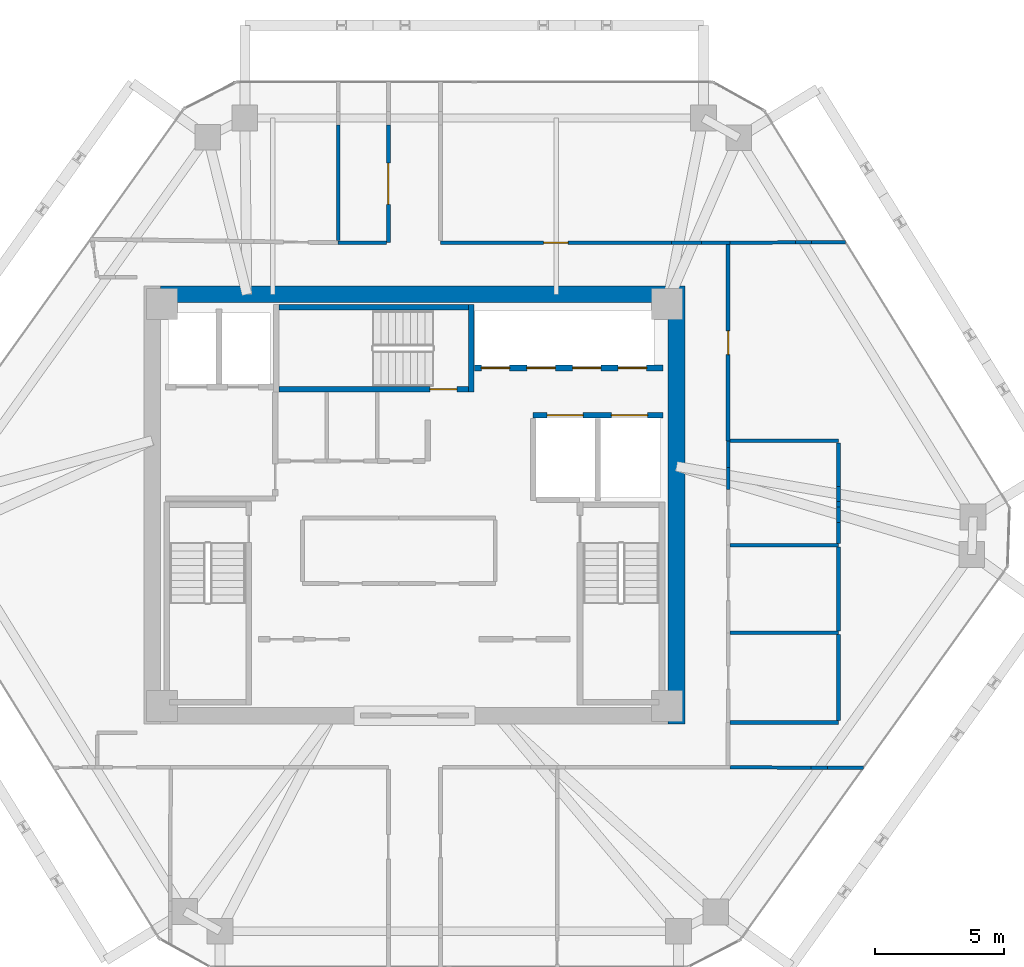
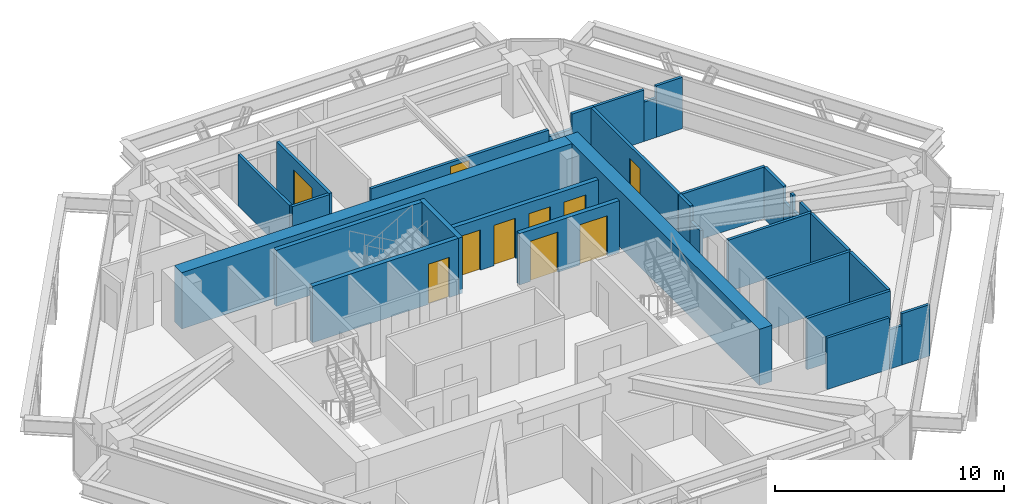
# One storey, part 10 of 12: 33 walls, 10 doors, 10 openings.
"""IFC4 building model written with IfcOpenShell, lengths in metres."""

import ifcopenshell
import ifcopenshell.guid

model = None  # the IFC model being written
_history = None  # IfcOwnerHistory: only IFC2X3 demands one
_inside = {}  # id of a spatial element -> (the spatial element, [elements in it])
_under = {}  # id of a project, library or spatial element -> (it, [spatial elements below it])
_declared = {}  # id of a project -> (the project, [libraries it declares])
_typed = {}  # id of a type object -> (the type object, [elements of that type])
_made_of = {}  # id of a material, layer set ... -> (it, [elements and type objects made of it])


def new_model(schema):
    """Start an empty IFC model of exactly this schema.

    Asked for "IFC4X3", IfcOpenShell would pick the latest addendum, in which some entities
    have other attributes; the version numbers below select the first issue.
    IFC2X3 requires an IfcOwnerHistory on every rooted entity: one is made here for all.
    """
    global model, _history
    if schema == "IFC4X3":
        model = ifcopenshell.file(schema_version=(4, 3, 0, 0))
    else:
        model = ifcopenshell.file(schema=schema)
    _inside.clear()
    _under.clear()
    _declared.clear()
    _typed.clear()
    _made_of.clear()
    _history = None
    if model.schema == "IFC2X3":
        org = make("IfcOrganization", Name="unknown")
        user = make(
            "IfcPersonAndOrganization",
            ThePerson=make("IfcPerson", FamilyName="unknown"),
            TheOrganization=org,
        )
        app = make(
            "IfcApplication",
            ApplicationDeveloper=org,
            Version="unknown",
            ApplicationFullName="unknown",
            ApplicationIdentifier="unknown",
        )
        _history = make(
            "IfcOwnerHistory",
            OwningUser=user,
            OwningApplication=app,
            ChangeAction="ADDED",
            CreationDate=0,
        )
    return model


def make(cls, **values):
    """One entity of the class cls with the attributes given. An attribute that is None is left unset."""
    return model.create_entity(
        cls, **{name: value for name, value in values.items() if value is not None}
    )


def rooted(cls, **values):
    """An entity with a GlobalId (a new one), such as an element, a storey or a relation."""
    return make(cls, GlobalId=ifcopenshell.guid.new(), OwnerHistory=_history, **values)


def si_unit(unit_type, name, prefix=None):
    """IfcSIUnit, for example si_unit("LENGTHUNIT", "METRE", prefix="MILLI")."""
    return make("IfcSIUnit", UnitType=unit_type, Prefix=prefix, Name=name)


def assignment(units):
    """IfcUnitAssignment: the units of a project."""
    return None if units is None else make("IfcUnitAssignment", Units=units)


def point(xyz):
    """IfcCartesianPoint."""
    return None if xyz is None else make("IfcCartesianPoint", Coordinates=xyz)


def direction(xyz):
    """IfcDirection."""
    return None if xyz is None else make("IfcDirection", DirectionRatios=xyz)


def frame(location, z_axis=None, x_axis=None):
    """IfcAxis2Placement3D, a coordinate frame: its origin and axes. An axis left out is left unset."""
    return make(
        "IfcAxis2Placement3D",
        Location=point(location),
        Axis=direction(z_axis),
        RefDirection=direction(x_axis),
    )


def frame_2d(location, x_axis=None):
    """IfcAxis2Placement2D, a coordinate frame in the plane: its origin and x axis."""
    return make(
        "IfcAxis2Placement2D", Location=point(location), RefDirection=direction(x_axis)
    )


def origin():
    """The frame at (0, 0, 0) with its axes left unset."""
    return frame((0.0, 0.0, 0.0))


def place(relative_to, where):
    """IfcLocalPlacement: puts the frame where relative to a parent placement (None: the world)."""
    return make(
        "IfcLocalPlacement", PlacementRelTo=relative_to, RelativePlacement=where
    )


def context(
    kind, dimensions, precision=None, world=None, true_north=None, identifier=None
):
    """IfcGeometricRepresentationContext, for example the 3D "Model" context."""
    return make(
        "IfcGeometricRepresentationContext",
        ContextIdentifier=identifier,
        ContextType=kind,
        CoordinateSpaceDimension=dimensions,
        Precision=precision,
        WorldCoordinateSystem=world,
        TrueNorth=true_north,
    )


def subcontext(parent, identifier, kind, view, scale=None):
    """IfcGeometricRepresentationSubContext, for example "Body" below "Model"."""
    return make(
        "IfcGeometricRepresentationSubContext",
        ContextIdentifier=identifier,
        ContextType=kind,
        ParentContext=parent,
        TargetScale=scale,
        TargetView=view,
    )


def project(units=None, contexts=None):
    """IfcProject with its units and contexts."""
    return rooted(
        "IfcProject",
        Name="project",
        RepresentationContexts=contexts,
        UnitsInContext=assignment(units),
    )


def spatial(cls, under=None, at=None, **own):
    """A site, building, storey or space (cls), placed at a placement, below another one or the project."""
    s = rooted(cls, ObjectPlacement=at, **own)
    if under is not None:
        _under.setdefault(under.id(), (under, []))[1].append(s)
    return s


def profile(cls, at=None, kind="AREA", **sizes):
    """A parametric profile (cls). Its sizes go by their IFC names, for example OverallWidth=200.0."""
    return make(cls, ProfileType=kind, Position=at, **sizes)


def rectangle(**sizes):
    """IfcRectangleProfileDef."""
    return profile("IfcRectangleProfileDef", **sizes)


def extrude(swept, where, along, depth):
    """IfcExtrudedAreaSolid: the profile swept, set in the frame where, extruded along a direction by depth."""
    return make(
        "IfcExtrudedAreaSolid",
        SweptArea=swept,
        Position=where,
        ExtrudedDirection=direction(along),
        Depth=depth,
    )


def shape(context_of_items, identifier, shape_type, items):
    """IfcShapeRepresentation: the items that make up one representation, for example the "Body"."""
    return make(
        "IfcShapeRepresentation",
        ContextOfItems=context_of_items,
        RepresentationIdentifier=identifier,
        RepresentationType=shape_type,
        Items=items,
    )


def source(mapping_origin, context_of_items, identifier, shape_type, items):
    """IfcRepresentationMap: a shape defined once, which mapped items show again and again."""
    return make(
        "IfcRepresentationMap",
        MappingOrigin=mapping_origin,
        MappedRepresentation=shape(context_of_items, identifier, shape_type, items),
    )


def transform(
    local_origin,
    x_axis=None,
    y_axis=None,
    z_axis=None,
    scale=None,
    scale2=None,
    scale3=None,
    uniform=True,
):
    """IfcCartesianTransformationOperator3D, or its non-uniform kind. x_axis, y_axis, z_axis: its Axis1, 2, 3."""
    if uniform:
        return make(
            "IfcCartesianTransformationOperator3D",
            Axis1=direction(x_axis),
            Axis2=direction(y_axis),
            LocalOrigin=point(local_origin),
            Scale=scale,
            Axis3=direction(z_axis),
        )
    return make(
        "IfcCartesianTransformationOperator3DnonUniform",
        Axis1=direction(x_axis),
        Axis2=direction(y_axis),
        LocalOrigin=point(local_origin),
        Scale=scale,
        Axis3=direction(z_axis),
        Scale2=scale2,
        Scale3=scale3,
    )


def mapped(mapping_source, mapping_target):
    """IfcMappedItem: shows the shape of a source again, moved by a transform."""
    return make(
        "IfcMappedItem", MappingSource=mapping_source, MappingTarget=mapping_target
    )


def material(Name=None, Category=None):
    """IfcMaterial."""
    return make("IfcMaterial", Name=Name, Category=Category)


def layer(
    of_material, thickness, ventilated=None, Name=None, Category=None, Priority=None
):
    """IfcMaterialLayer: one layer of a wall or slab, of a material (None: an air gap)."""
    return make(
        "IfcMaterialLayer",
        Material=of_material,
        LayerThickness=thickness,
        IsVentilated=ventilated,
        Name=Name,
        Category=Category,
        Priority=Priority,
    )


def layer_set(layers, Name=None):
    """IfcMaterialLayerSet."""
    return make("IfcMaterialLayerSet", MaterialLayers=layers, LayerSetName=Name)


def made_of(thing, what):
    """Note that an element or type object is made of a material, layer set ...; save() writes the relation."""
    if what is not None:
        _made_of.setdefault(what.id(), (what, []))[1].append(thing)
    return thing


def type_object(cls, material=None, **own):
    """A type object (cls), such as IfcWallType, which elements share."""
    return made_of(rooted(cls, **own), material)


def type_shapes(of_type, sources):
    """Give a type object the sources (RepresentationMaps) that its elements show as mapped items."""
    of_type.RepresentationMaps = sources


def element(
    cls,
    number,
    at=None,
    inside=None,
    cuts=None,
    type_object=None,
    material=None,
    context=None,
    identifier="Body",
    shape_type=None,
    held_by="IfcProductDefinitionShape",
    body=None,
    shapes=None,
    **own,
):
    """One element of the class cls, such as IfcWall. Its Tag is "e" and its number.

    at: its placement. inside: the storey or other place that contains it. cuts: it is an
    opening in that element (IfcRelVoidsElement). A single representation is given by context,
    identifier, shape_type and body (its items); several are given by shapes. held_by: the class
    of the entity that holds the representations. save() writes the other relations.
    """
    e = rooted(cls, Tag="e%d" % number, ObjectPlacement=at, **own)
    if body is not None:
        shapes = [shape(context, identifier, shape_type, body)]
    if shapes is not None:
        e.Representation = make(held_by, Representations=shapes)
    if inside is not None:
        _inside.setdefault(inside.id(), (inside, []))[1].append(e)
    if cuts is not None:
        rooted(
            "IfcRelVoidsElement", RelatingBuildingElement=cuts, RelatedOpeningElement=e
        )
    if type_object is not None:
        _typed.setdefault(type_object.id(), (type_object, []))[1].append(e)
    return made_of(e, material)


def fill(opening, filler):
    """IfcRelFillsElement: the door or window that sits in an opening."""
    return rooted(
        "IfcRelFillsElement",
        RelatingOpeningElement=opening,
        RelatedBuildingElement=filler,
    )


def aggregate(whole, parts):
    """IfcRelAggregates: a whole, such as a stair, and the parts it consists of."""
    return rooted("IfcRelAggregates", RelatingObject=whole, RelatedObjects=parts)


def save(model, path):
    """Write the relations noted so far, then the file.

    IfcRelAggregates (storeys below a building ...), IfcRelContainedInSpatialStructure (elements
    in a storey), IfcRelDefinesByType, IfcRelAssociatesMaterial and IfcRelDeclares: one each for
    every whole, place, type object, material and project.
    """
    for whole, parts in _under.values():
        aggregate(whole, parts)
    for where, things in _inside.values():
        rooted(
            "IfcRelContainedInSpatialStructure",
            RelatedElements=things,
            RelatingStructure=where,
        )
    for kind, things in _typed.values():
        rooted("IfcRelDefinesByType", RelatedObjects=things, RelatingType=kind)
    for what, things in _made_of.values():
        rooted("IfcRelAssociatesMaterial", RelatedObjects=things, RelatingMaterial=what)
    for by, libraries in _declared.values():
        rooted("IfcRelDeclares", RelatingContext=by, RelatedDefinitions=libraries)
    model.write(path)


model = new_model("IFC4")

# Units and contexts
model_context = context("Model", 3, precision=1e-05, world=origin(), true_north=direction((0.0, 1.0)))
body_context = subcontext(model_context, "Body", "Model", "MODEL_VIEW")
ifc_project = project(units=[si_unit("LENGTHUNIT", "METRE"), si_unit("AREAUNIT", "SQUARE_METRE"), si_unit("VOLUMEUNIT", "CUBIC_METRE"), si_unit("PLANEANGLEUNIT", "RADIAN"), si_unit("MASSUNIT", "GRAM", prefix="KILO")], contexts=[model_context])

# Site, building, storey
site_placement = place(None, origin())
site = spatial("IfcSite", under=ifc_project, at=site_placement, CompositionType="ELEMENT")
building_placement = place(site_placement, origin())
building = spatial("IfcBuilding", under=site, at=building_placement, Name="Durnholm Broadcast Tower", CompositionType="ELEMENT")
storey_placement = place(building_placement, frame((0.0, 0.0, 203.199951171875)))
storey = spatial("IfcBuildingStorey", under=building, at=storey_placement, Name="L56", CompositionType="ELEMENT", Elevation=203.199951171875)

# Walls
ifc_material_1 = material(Name="Concrete C70/85", Category="concrete")
ifc_layer_1 = layer(ifc_material_1, 0.64990234375)
ifc_layer_set_1 = layer_set([ifc_layer_1], Name="Concrete C70/85")
wall_type_1 = type_object("IfcWallType", Name="WALL-CW-650", PredefinedType="SHEAR", material=ifc_layer_set_1)
wall_1_placement = place(storey_placement, frame((10.175048828125, -8.5, 0.0), z_axis=(0.0, 0.0, 1.0), x_axis=(0.0, 1.0, 0.0)))
element("IfcWall", 1, at=wall_1_placement, inside=storey, type_object=wall_type_1, Name="L56 central core shear wall CW-EAST", PredefinedType="SHEAR", context=body_context, shape_type="SweptSolid", body=[
    extrude(rectangle(XDim=17.0, YDim=0.64990234375, at=frame_2d((8.5, 0.0))), origin(), (0.0, 0.0, 1.0), 3.0),
])
wall_2_placement = place(storey_placement, frame((-9.85009765625, 8.175048828125, 0.0), z_axis=(0.0, 0.0, 1.0), x_axis=(1.0, 0.0, 0.0)))
element("IfcWall", 2, at=wall_2_placement, inside=storey, type_object=wall_type_1, Name="L56 central core shear wall CW-N", PredefinedType="SHEAR", context=body_context, shape_type="SweptSolid", body=[
    extrude(rectangle(XDim=19.7001953125, YDim=0.64990234375, at=frame_2d((9.85009765625, 0.0))), origin(), (0.0, 0.0, 1.0), 3.0),
])
ifc_material_2 = material(Name="Gypsum Metal Stud Partition", Category="concrete")
ifc_layer_2 = layer(ifc_material_2, 0.135009765625)
ifc_layer_set_2 = layer_set([ifc_layer_2], Name="Gypsum Metal Stud Partition")
wall_type_2 = type_object("IfcWallType", Name="WALL-PART-135", PredefinedType="PARTITIONING", material=ifc_layer_set_2)
wall_3_placement = place(storey_placement, frame((-2.9599609375, 14.75537109375, 0.0), z_axis=(0.0, 0.0, 1.0), x_axis=(0.0, -1.0, 0.0)))
element("IfcWall", 3, at=wall_3_placement, inside=storey, type_object=wall_type_2, Name="L56 room dividing partition 12.13", PredefinedType="PARTITIONING", context=body_context, shape_type="SweptSolid", body=[
    extrude(rectangle(XDim=4.496337890625, YDim=0.135009765625, at=frame_2d((2.248046875, 0.0))), origin(), (0.0, 0.0, 1.0), 2.7451171875),
])
wall_4_placement = place(storey_placement, frame((16.739990234375, 10.200927734375, 0.0), z_axis=(0.0, 0.0, 1.0), x_axis=(-0.999989521507, -0.004577868163, 0.0)))
element("IfcWall", 4, at=wall_4_placement, inside=storey, type_object=wall_type_2, Name="L56 room dividing partition 14.21", PredefinedType="PARTITIONING", context=body_context, shape_type="SweptSolid", body=[
    extrude(rectangle(XDim=1.333251953125, YDim=0.135009765625, at=frame_2d((0.66650390625, 0.0))), origin(), (0.0, 0.0, 1.0), 2.7451171875),
])
wall_5_placement = place(storey_placement, frame((14.791259765625, 10.19189453125, 0.0), z_axis=(0.0, 0.0, 1.0), x_axis=(-0.999989725302, -0.004533132435, 0.0)))
element("IfcWall", 5, at=wall_5_placement, inside=storey, type_object=wall_type_2, Name="L56 room dividing partition 14.21", PredefinedType="PARTITIONING", context=body_context, shape_type="SweptSolid", body=[
    extrude(rectangle(XDim=2.53125, YDim=0.135009765625, at=frame_2d((1.265625, 0.0))), origin(), (0.0, 0.0, 1.0), 2.7451171875),
])
wall_6_placement = place(storey_placement, frame((15.40673828125, 10.19482421875, 0.0), z_axis=(0.0, 0.0, 1.0), x_axis=(-0.999988671317, -0.004759961942, 0.0)))
element("IfcWall", 6, at=wall_6_placement, inside=storey, type_object=wall_type_2, Name="L56 room dividing partition 14.21", PredefinedType="PARTITIONING", context=body_context, shape_type="SweptSolid", body=[
    extrude(rectangle(XDim=0.615478515625, YDim=0.135009765625, at=frame_2d((0.3076171875, 0.0))), origin(), (0.0, 0.0, 1.0), 2.098876953125),
])
wall_7_placement = place(storey_placement, frame((12.260009765625, -10.180419921875, 0.0), z_axis=(0.0, 0.0, 1.0), x_axis=(0.999990120522, -0.004445093728, 0.0)))
element("IfcWall", 7, at=wall_7_placement, inside=storey, type_object=wall_type_2, Name="L56 room dividing partition 18.21", PredefinedType="PARTITIONING", context=body_context, shape_type="SweptSolid", body=[
    extrude(rectangle(XDim=3.130615234375, YDim=0.135009765625, at=frame_2d((1.5654296875, 0.0))), origin(), (0.0, 0.0, 1.0), 2.7451171875),
])
wall_8_placement = place(storey_placement, frame((16.034423828125, -10.197021484375, 0.0), z_axis=(0.0, 0.0, 1.0), x_axis=(0.999989640625, -0.004551773574, 0.0)))
element("IfcWall", 8, at=wall_8_placement, inside=storey, type_object=wall_type_2, Name="L56 room dividing partition 18.21", PredefinedType="PARTITIONING", context=body_context, shape_type="SweptSolid", body=[
    extrude(rectangle(XDim=1.39453125, YDim=0.135009765625, at=frame_2d((0.697265625, 0.0))), origin(), (0.0, 0.0, 1.0), 2.7451171875),
])
wall_9_placement = place(storey_placement, frame((15.390625, -10.1943359375, 0.0), z_axis=(0.0, 0.0, 1.0), x_axis=(0.999991299796, -0.00417137061, 0.0)))
element("IfcWall", 9, at=wall_9_placement, inside=storey, type_object=wall_type_2, Name="L56 room dividing partition 18.21", PredefinedType="PARTITIONING", context=body_context, shape_type="SweptSolid", body=[
    extrude(rectangle(XDim=0.643798828125, YDim=0.135009765625, at=frame_2d((0.32177734375, 0.0))), origin(), (0.0, 0.0, 1.0), 2.098876953125),
])

# Wall, opening, door
ifc_material_3 = material(Name="Acoustic Gypsum Stud Partition", Category="concrete")
ifc_layer_3 = layer(ifc_material_3, 0.14990234375)
ifc_layer_set_3 = layer_set([ifc_layer_3], Name="Acoustic Gypsum Stud Partition")
wall_type_3 = type_object("IfcWallType", Name="WALL-PART-150", PredefinedType="PARTITIONING", material=ifc_layer_set_3)
wall_10_placement = place(storey_placement, frame((-1.010009765625, 14.75537109375, 0.0), z_axis=(0.0, 0.0, 1.0), x_axis=(0.0, -1.0, 0.0)))
wall_10 = element("IfcWall", 10, at=wall_10_placement, inside=storey, type_object=wall_type_3, Name="L56 Investor Briefing Auditorium corridor partition", PredefinedType="PARTITIONING", context=body_context, shape_type="SweptSolid", body=[
    extrude(rectangle(XDim=4.575439453125, YDim=0.14990234375, at=frame_2d((2.28759765625, 0.0))), origin(), (0.0, 0.0, 1.0), 2.7451171875),
])
opening_1_placement = place(wall_10_placement, frame((1.48779296875, 0.0, 0.0)))
opening_1 = element("IfcOpeningElement", 11, at=opening_1_placement, cuts=wall_10, Name="Opening DST-160", PredefinedType="OPENING", context=body_context, shape_type="SweptSolid", body=[
    extrude(rectangle(XDim=1.60009765625, YDim=2.14990234375, at=frame_2d((0.800048828125, 1.074951171875))), frame((0.0, 0.0849609375, 0.0), z_axis=(0.0, -1.0, 0.0), x_axis=(1.0, 0.0, 0.0)), (0.0, 0.0, 1.0), 0.169921875),
])
ifc_material_4 = material(Name="Acoustic Broadcast Studio Sound-Lock Door", Category="steel")
ifc_layer_4 = layer(ifc_material_4, 0.050048828125)
ifc_layer_set_4 = layer_set([ifc_layer_4], Name="Acoustic Broadcast Studio Sound-Lock Door")
door_type_1 = type_object("IfcDoorType", Name="DOOR-STU-1600", OperationType="DOUBLE_DOOR_SINGLE_SWING", PredefinedType="DOOR", material=ifc_layer_set_4)
shared_shape_1 = source(origin(), body_context, "Body", "SweptSolid", [
    extrude(rectangle(XDim=1.60009765625, YDim=2.14990234375, at=frame_2d((0.800048828125, 1.074951171875))), frame((0.0, 0.02490234375, 0.0), z_axis=(0.0, -1.0, 0.0), x_axis=(1.0, 0.0, 0.0)), (0.0, 0.0, 1.0), 0.050048828125),
])
type_shapes(door_type_1, [shared_shape_1])
door_1_placement = place(opening_1_placement, origin())
door_1 = element("IfcDoor", 12, at=door_1_placement, inside=storey, type_object=door_type_1, Name="L56 Investor Briefing Auditorium entrance door", OperationType="DOUBLE_DOOR_SINGLE_SWING", OverallHeight=2.14990234375, OverallWidth=1.60009765625, PredefinedType="DOOR", context=body_context, shape_type="MappedRepresentation", body=[
    mapped(shared_shape_1, transform((0.0, 0.0, 0.0), x_axis=(1.0, 0.0, 0.0), y_axis=(0.0, 1.0, 0.0), z_axis=(0.0, 0.0, 1.0), scale=1.0)),
])
fill(opening_1, door_1)

# Walls
wall_11_placement = place(storey_placement, frame((-1.089111328125, 10.179931640625, 0.0), z_axis=(0.0, 0.0, 1.0), x_axis=(-1.0, 0.0, 0.0)))
element("IfcWall", 13, at=wall_11_placement, inside=storey, type_object=wall_type_3, Name="L56 Investor Briefing Auditorium corridor partition", PredefinedType="PARTITIONING", context=body_context, shape_type="SweptSolid", body=[
    extrude(rectangle(XDim=1.870849609375, YDim=0.14990234375, at=frame_2d((0.935546875, 0.0))), origin(), (0.0, 0.0, 1.0), 2.7451171875),
])
wall_12_placement = place(storey_placement, frame((12.260009765625, 10.179931640625, 0.0), z_axis=(0.0, 0.0, 1.0), x_axis=(-1.0, 0.0, 0.0)))
element("IfcWall", 14, at=wall_12_placement, inside=storey, type_object=wall_type_3, Name="L56 Treasury Dining Room corridor partition", PredefinedType="PARTITIONING", context=body_context, shape_type="SweptSolid", body=[
    extrude(rectangle(XDim=1.1142578125, YDim=0.14990234375, at=frame_2d((0.55712890625, 0.0))), origin(), (0.0, 0.0, 1.0), 2.7451171875),
])

# Wall, opening, door
wall_13_placement = place(storey_placement, frame((9.971435546875, 10.179931640625, 0.0), z_axis=(0.0, 0.0, 1.0), x_axis=(-1.0, 0.0, 0.0)))
wall_13 = element("IfcWall", 15, at=wall_13_placement, inside=storey, type_object=wall_type_3, Name="L56 Treasury Dining Room corridor partition", PredefinedType="PARTITIONING", context=body_context, shape_type="SweptSolid", body=[
    extrude(rectangle(XDim=8.96142578125, YDim=0.14990234375, at=frame_2d((4.480712890625, 0.0))), origin(), (0.0, 0.0, 1.0), 2.308349609375),
])
opening_2_placement = place(wall_13_placement, frame((4.005859375, 0.0, 0.0)))
opening_2 = element("IfcOpeningElement", 16, at=opening_2_placement, cuts=wall_13, Name="Opening DR-95L", PredefinedType="OPENING", context=body_context, shape_type="SweptSolid", body=[
    extrude(rectangle(XDim=0.949951171875, YDim=2.10009765625, at=frame_2d((0.47509765625, 1.050048828125))), frame((0.0, 0.0849609375, 0.0), z_axis=(0.0, -1.0, 0.0), x_axis=(1.0, 0.0, 0.0)), (0.0, 0.0, 1.0), 0.169921875),
])
ifc_material_5 = material(Name="Acoustic Oak Veneer Timber Door", Category="wood")
ifc_layer_5 = layer(ifc_material_5, 0.050048828125)
ifc_layer_set_5 = layer_set([ifc_layer_5], Name="Acoustic Oak Veneer Timber Door")
door_type_2 = type_object("IfcDoorType", Name="DOOR-RM-950L", OperationType="NOTDEFINED", PredefinedType="DOOR", material=ifc_layer_set_5)
shared_shape_2 = source(origin(), body_context, "Body", "SweptSolid", [
    extrude(rectangle(XDim=0.949951171875, YDim=2.10009765625, at=frame_2d((0.47509765625, 1.050048828125))), frame((0.0, 0.02490234375, 0.0), z_axis=(0.0, -1.0, 0.0), x_axis=(1.0, 0.0, 0.0)), (0.0, 0.0, 1.0), 0.050048828125),
])
type_shapes(door_type_2, [shared_shape_2])
door_2_placement = place(opening_2_placement, origin())
door_2 = element("IfcDoor", 17, at=door_2_placement, inside=storey, type_object=door_type_2, Name="L56 Treasury Dining Room entrance door", OperationType="SINGLE_SWING_LEFT", OverallHeight=2.10009765625, OverallWidth=0.949951171875, PredefinedType="DOOR", context=body_context, shape_type="MappedRepresentation", body=[
    mapped(shared_shape_2, transform((0.0, 0.0, 0.0), x_axis=(1.0, 0.0, 0.0), y_axis=(0.0, 1.0, 0.0), z_axis=(0.0, 0.0, 1.0), scale=1.0)),
])
fill(opening_2, door_2)

# Wall
wall_14_placement = place(storey_placement, frame((11.145751953125, 10.179931640625, 0.0), z_axis=(0.0, 0.0, 1.0), x_axis=(-1.0, 0.0, 0.0)))
element("IfcWall", 18, at=wall_14_placement, inside=storey, type_object=wall_type_3, Name="L56 Treasury Dining Room corridor partition", PredefinedType="PARTITIONING", context=body_context, shape_type="SweptSolid", body=[
    extrude(rectangle(XDim=1.17431640625, YDim=0.14990234375, at=frame_2d((0.587158203125, 0.0))), origin(), (0.0, 0.0, 1.0), 1.94189453125),
])

# Wall, opening, door
wall_15_placement = place(storey_placement, frame((12.179931640625, 2.489990234375, 0.0), z_axis=(0.0, 0.0, 1.0), x_axis=(0.0, 1.0, 0.0)))
wall_15 = element("IfcWall", 19, at=wall_15_placement, inside=storey, type_object=wall_type_3, Name="L56 Catering Kitchen corridor partition", PredefinedType="PARTITIONING", context=body_context, shape_type="SweptSolid", body=[
    extrude(rectangle(XDim=7.611083984375, YDim=0.14990234375, at=frame_2d((3.8056640625, 0.0))), origin(), (0.0, 0.0, 1.0), 2.7451171875),
])
opening_3_placement = place(wall_15_placement, frame((3.345458984375, 0.0, 0.0)))
opening_3 = element("IfcOpeningElement", 20, at=opening_3_placement, cuts=wall_15, Name="Opening DR-92L", PredefinedType="OPENING", context=body_context, shape_type="SweptSolid", body=[
    extrude(rectangle(XDim=0.919921875, YDim=2.10009765625, at=frame_2d((0.4599609375, 1.050048828125))), frame((0.0, 0.0849609375, 0.0), z_axis=(0.0, -1.0, 0.0), x_axis=(1.0, 0.0, 0.0)), (0.0, 0.0, 1.0), 0.169921875),
])
ifc_material_6 = material(Name="Oak Veneer Office Door", Category="wood")
ifc_layer_6 = layer(ifc_material_6, 0.050048828125)
ifc_layer_set_6 = layer_set([ifc_layer_6], Name="Oak Veneer Office Door")
door_type_3 = type_object("IfcDoorType", Name="DOOR-RM-920L", OperationType="NOTDEFINED", PredefinedType="DOOR", material=ifc_layer_set_6)
shared_shape_3 = source(origin(), body_context, "Body", "SweptSolid", [
    extrude(rectangle(XDim=0.919921875, YDim=2.10009765625, at=frame_2d((0.4599609375, 1.050048828125))), frame((0.0, 0.02490234375, 0.0), z_axis=(0.0, -1.0, 0.0), x_axis=(1.0, 0.0, 0.0)), (0.0, 0.0, 1.0), 0.050048828125),
])
type_shapes(door_type_3, [shared_shape_3])
door_3_placement = place(opening_3_placement, origin())
door_3 = element("IfcDoor", 21, at=door_3_placement, inside=storey, type_object=door_type_3, Name="L56 Catering Kitchen entrance door", OperationType="SINGLE_SWING_LEFT", OverallHeight=2.10009765625, OverallWidth=0.919921875, PredefinedType="DOOR", context=body_context, shape_type="MappedRepresentation", body=[
    mapped(shared_shape_3, transform((0.0, 0.0, 0.0), x_axis=(1.0, 0.0, 0.0), y_axis=(0.0, 1.0, 0.0), z_axis=(0.0, 0.0, 1.0), scale=1.0)),
])
fill(opening_3, door_3)

# Wall, openings, doors
ifc_material_7 = material(Name="Concrete Blockwork C30/37", Category="masonry")
ifc_layer_7 = layer(ifc_material_7, 0.219970703125)
ifc_layer_set_7 = layer_set([ifc_layer_7], Name="Concrete Blockwork C30/37")
wall_type_4 = type_object("IfcWallType", Name="WALL-SHAFT-220", PredefinedType="SOLIDWALL", material=ifc_layer_set_7)
wall_16_placement = place(storey_placement, frame((4.60009765625, 3.47998046875, 0.0), z_axis=(0.0, 0.0, 1.0), x_axis=(1.0, 0.0, 0.0)))
wall_16 = element("IfcWall", 22, at=wall_16_placement, inside=storey, type_object=wall_type_4, Name="L56 freight service lifts north front wall", PredefinedType="SOLIDWALL", context=body_context, shape_type="SweptSolid", body=[
    extrude(rectangle(XDim=5.0498046875, YDim=0.219970703125, at=frame_2d((2.52490234375, 0.0))), origin(), (0.0, 0.0, 1.0), 2.7451171875),
])
opening_4_placement = place(wall_16_placement, frame((0.550048828125, 0.0, 0.0)))
opening_4 = element("IfcOpeningElement", 23, at=opening_4_placement, cuts=wall_16, Name="Opening LD-SVL-2", PredefinedType="OPENING", context=body_context, shape_type="SweptSolid", body=[
    extrude(rectangle(XDim=1.39990234375, YDim=2.14990234375, at=frame_2d((0.699951171875, 1.074951171875))), frame((0.0, 0.1201171875, 0.0), z_axis=(0.0, -1.0, 0.0), x_axis=(1.0, 0.0, 0.0)), (0.0, 0.0, 1.0), 0.239990234375),
])
opening_5_placement = place(wall_16_placement, frame((3.050048828125, 0.0, 0.0)))
opening_5 = element("IfcOpeningElement", 24, at=opening_5_placement, cuts=wall_16, Name="Opening LD-SVL-1", PredefinedType="OPENING", context=body_context, shape_type="SweptSolid", body=[
    extrude(rectangle(XDim=1.39990234375, YDim=2.14990234375, at=frame_2d((0.699951171875, 1.074951171875))), frame((0.0, 0.1201171875, 0.0), z_axis=(0.0, -1.0, 0.0), x_axis=(1.0, 0.0, 0.0)), (0.0, 0.0, 1.0), 0.239990234375),
])
ifc_material_8 = material(Name="Freight Elevator Bi-Parting Sliding Landing Door", Category="steel")
ifc_layer_8 = layer(ifc_material_8, 0.050048828125)
ifc_layer_set_8 = layer_set([ifc_layer_8], Name="Freight Elevator Bi-Parting Sliding Landing Door")
door_type_4 = type_object("IfcDoorType", Name="DOOR-LIFT-SVL", OperationType="DOUBLE_DOOR_SLIDING", PredefinedType="DOOR", material=ifc_layer_set_8)
shared_shape_4 = source(origin(), body_context, "Body", "SweptSolid", [
    extrude(rectangle(XDim=1.39990234375, YDim=2.14990234375, at=frame_2d((0.699951171875, 1.074951171875))), frame((0.0, 0.02490234375, 0.0), z_axis=(0.0, -1.0, 0.0), x_axis=(1.0, 0.0, 0.0)), (0.0, 0.0, 1.0), 0.050048828125),
])
type_shapes(door_type_4, [shared_shape_4])
door_4_placement = place(opening_4_placement, origin())
door_4 = element("IfcDoor", 25, at=door_4_placement, inside=storey, type_object=door_type_4, Name="L56 freight service elevator SVL-2 sliding landing door", OperationType="DOUBLE_DOOR_SLIDING", OverallHeight=2.14990234375, OverallWidth=1.39990234375, PredefinedType="DOOR", context=body_context, shape_type="MappedRepresentation", body=[
    mapped(shared_shape_4, transform((0.0, 0.0, 0.0), x_axis=(1.0, 0.0, 0.0), y_axis=(0.0, 1.0, 0.0), z_axis=(0.0, 0.0, 1.0), scale=1.0)),
])
fill(opening_4, door_4)
door_5_placement = place(opening_5_placement, origin())
door_5 = element("IfcDoor", 26, at=door_5_placement, inside=storey, type_object=door_type_4, Name="L56 freight service elevator SVL-1 sliding landing door", OperationType="DOUBLE_DOOR_SLIDING", OverallHeight=2.14990234375, OverallWidth=1.39990234375, PredefinedType="DOOR", context=body_context, shape_type="MappedRepresentation", body=[
    mapped(shared_shape_4, transform((0.0, 0.0, 0.0), x_axis=(1.0, 0.0, 0.0), y_axis=(0.0, 1.0, 0.0), z_axis=(0.0, 0.0, 1.0), scale=1.0)),
])
fill(opening_5, door_5)

wall_17_placement = place(storey_placement, frame((2.324951171875, 5.320068359375, 0.0), z_axis=(0.0, 0.0, 1.0), x_axis=(1.0, 0.0, 0.0)))
wall_17 = element("IfcWall", 27, at=wall_17_placement, inside=storey, type_object=wall_type_4, Name="L56 high-rise bank P3 south front wall", PredefinedType="SOLIDWALL", context=body_context, shape_type="SweptSolid", body=[
    extrude(rectangle(XDim=7.324951171875, YDim=0.219970703125, at=frame_2d((3.66259765625, 0.0))), origin(), (0.0, 0.0, 1.0), 2.7451171875),
])
opening_6_placement = place(wall_17_placement, frame((0.27490234375, 0.0, 0.0)))
opening_6 = element("IfcOpeningElement", 28, at=opening_6_placement, cuts=wall_17, Name="Opening LD-LP3-1", PredefinedType="OPENING", context=body_context, shape_type="SweptSolid", body=[
    extrude(rectangle(XDim=1.10009765625, YDim=2.14990234375, at=frame_2d((0.550048828125, 1.074951171875))), frame((0.0, 0.1201171875, 0.0), z_axis=(0.0, -1.0, 0.0), x_axis=(1.0, 0.0, 0.0)), (0.0, 0.0, 1.0), 0.239990234375),
])
opening_7_placement = place(wall_17_placement, frame((2.044921875, 0.0, 0.0)))
opening_7 = element("IfcOpeningElement", 29, at=opening_7_placement, cuts=wall_17, Name="Opening LD-LP3-2", PredefinedType="OPENING", context=body_context, shape_type="SweptSolid", body=[
    extrude(rectangle(XDim=1.10009765625, YDim=2.14990234375, at=frame_2d((0.550048828125, 1.074951171875))), frame((0.0, 0.1201171875, 0.0), z_axis=(0.0, -1.0, 0.0), x_axis=(1.0, 0.0, 0.0)), (0.0, 0.0, 1.0), 0.239990234375),
])
opening_8_placement = place(wall_17_placement, frame((3.81494140625, 0.0, 0.0)))
opening_8 = element("IfcOpeningElement", 30, at=opening_8_placement, cuts=wall_17, Name="Opening LD-LP3-3", PredefinedType="OPENING", context=body_context, shape_type="SweptSolid", body=[
    extrude(rectangle(XDim=1.10009765625, YDim=2.14990234375, at=frame_2d((0.550048828125, 1.074951171875))), frame((0.0, 0.1201171875, 0.0), z_axis=(0.0, -1.0, 0.0), x_axis=(1.0, 0.0, 0.0)), (0.0, 0.0, 1.0), 0.239990234375),
])
opening_9_placement = place(wall_17_placement, frame((5.5849609375, 0.0, 0.0)))
opening_9 = element("IfcOpeningElement", 31, at=opening_9_placement, cuts=wall_17, Name="Opening LD-LP3-4", PredefinedType="OPENING", context=body_context, shape_type="SweptSolid", body=[
    extrude(rectangle(XDim=1.10009765625, YDim=2.14990234375, at=frame_2d((0.550048828125, 1.074951171875))), frame((0.0, 0.1201171875, 0.0), z_axis=(0.0, -1.0, 0.0), x_axis=(1.0, 0.0, 0.0)), (0.0, 0.0, 1.0), 0.239990234375),
])
ifc_material_9 = material(Name="Stainless Steel Sliding Elevator Landing Door", Category="steel")
ifc_layer_9 = layer(ifc_material_9, 0.050048828125)
ifc_layer_set_9 = layer_set([ifc_layer_9], Name="Stainless Steel Sliding Elevator Landing Door")
door_type_5 = type_object("IfcDoorType", Name="DOOR-LIFT-PAX", OperationType="DOUBLE_DOOR_SLIDING", PredefinedType="DOOR", material=ifc_layer_set_9)
shared_shape_5 = source(origin(), body_context, "Body", "SweptSolid", [
    extrude(rectangle(XDim=1.10009765625, YDim=2.14990234375, at=frame_2d((0.550048828125, 1.074951171875))), frame((0.0, 0.02490234375, 0.0), z_axis=(0.0, -1.0, 0.0), x_axis=(1.0, 0.0, 0.0)), (0.0, 0.0, 1.0), 0.050048828125),
])
type_shapes(door_type_5, [shared_shape_5])
door_6_placement = place(opening_6_placement, origin())
door_6 = element("IfcDoor", 32, at=door_6_placement, inside=storey, type_object=door_type_5, Name="L56 high-rise elevator LP3-1 sliding landing door", OperationType="DOUBLE_DOOR_SLIDING", OverallHeight=2.14990234375, OverallWidth=1.10009765625, PredefinedType="DOOR", context=body_context, shape_type="MappedRepresentation", body=[
    mapped(shared_shape_5, transform((0.0, 0.0, 0.0), x_axis=(1.0, 0.0, 0.0), y_axis=(0.0, 1.0, 0.0), z_axis=(0.0, 0.0, 1.0), scale=1.0)),
])
fill(opening_6, door_6)
door_7_placement = place(opening_7_placement, origin())
door_7 = element("IfcDoor", 33, at=door_7_placement, inside=storey, type_object=door_type_5, Name="L56 high-rise elevator LP3-2 sliding landing door", OperationType="DOUBLE_DOOR_SLIDING", OverallHeight=2.14990234375, OverallWidth=1.10009765625, PredefinedType="DOOR", context=body_context, shape_type="MappedRepresentation", body=[
    mapped(shared_shape_5, transform((0.0, 0.0, 0.0), x_axis=(1.0, 0.0, 0.0), y_axis=(0.0, 1.0, 0.0), z_axis=(0.0, 0.0, 1.0), scale=1.0)),
])
fill(opening_7, door_7)
door_8_placement = place(opening_8_placement, origin())
door_8 = element("IfcDoor", 34, at=door_8_placement, inside=storey, type_object=door_type_5, Name="L56 high-rise elevator LP3-3 sliding landing door", OperationType="DOUBLE_DOOR_SLIDING", OverallHeight=2.14990234375, OverallWidth=1.10009765625, PredefinedType="DOOR", context=body_context, shape_type="MappedRepresentation", body=[
    mapped(shared_shape_5, transform((0.0, 0.0, 0.0), x_axis=(1.0, 0.0, 0.0), y_axis=(0.0, 1.0, 0.0), z_axis=(0.0, 0.0, 1.0), scale=1.0)),
])
fill(opening_8, door_8)
door_9_placement = place(opening_9_placement, origin())
door_9 = element("IfcDoor", 35, at=door_9_placement, inside=storey, type_object=door_type_5, Name="L56 high-rise elevator LP3-4 sliding landing door", OperationType="DOUBLE_DOOR_SLIDING", OverallHeight=2.14990234375, OverallWidth=1.10009765625, PredefinedType="DOOR", context=body_context, shape_type="MappedRepresentation", body=[
    mapped(shared_shape_5, transform((0.0, 0.0, 0.0), x_axis=(1.0, 0.0, 0.0), y_axis=(0.0, 1.0, 0.0), z_axis=(0.0, 0.0, 1.0), scale=1.0)),
])
fill(opening_9, door_9)

# Wall
ifc_material_10 = material(Name="Concrete C50/60", Category="concrete")
ifc_layer_10 = layer(ifc_material_10, 0.219970703125)
ifc_layer_set_10 = layer_set([ifc_layer_10], Name="Concrete C50/60")
wall_type_5 = type_object("IfcWallType", Name="WALL-SW-220", PredefinedType="SHEAR", material=ifc_layer_set_10)
wall_18_placement = place(storey_placement, frame((2.2099609375, 4.3798828125, -0.239990234375), z_axis=(0.0, 0.0, 1.0), x_axis=(0.0, 1.0, 0.0)))
element("IfcWall", 36, at=wall_18_placement, inside=storey, type_object=wall_type_5, Name="L56 stair ST-3 structural shaft wall E", PredefinedType="SHEAR", context=body_context, shape_type="SweptSolid", body=[
    extrude(rectangle(XDim=3.400146484375, YDim=0.219970703125, at=frame_2d((1.7001953125, 0.0))), origin(), (0.0, 0.0, 1.0), 3.0),
])

# Wall, opening, door
wall_19_placement = place(storey_placement, frame((-5.25, 4.489990234375, -0.239990234375), z_axis=(0.0, 0.0, 1.0), x_axis=(1.0, 0.0, 0.0)))
wall_19 = element("IfcWall", 37, at=wall_19_placement, inside=storey, type_object=wall_type_5, Name="L56 stair ST-3 structural shaft wall S", PredefinedType="SHEAR", context=body_context, shape_type="SweptSolid", body=[
    extrude(rectangle(XDim=7.35009765625, YDim=0.219970703125, at=frame_2d((3.675048828125, 0.0))), origin(), (0.0, 0.0, 1.0), 3.0),
])
opening_10_placement = place(wall_19_placement, frame((5.85009765625, 0.0, 0.0)))
opening_10 = element("IfcOpeningElement", 38, at=opening_10_placement, cuts=wall_19, Name="Opening DS-90L", PredefinedType="OPENING", context=body_context, shape_type="SweptSolid", body=[
    extrude(rectangle(XDim=1.050048828125, YDim=2.14990234375, at=frame_2d((0.52490234375, 1.074951171875))), frame((0.0, 0.1201171875, 0.0), z_axis=(0.0, -1.0, 0.0), x_axis=(1.0, 0.0, 0.0)), (0.0, 0.0, 1.0), 0.239990234375),
])
ifc_material_11 = material(Name="Fire-Rated Steel Door", Category="steel")
ifc_layer_11 = layer(ifc_material_11, 0.050048828125)
ifc_layer_set_11 = layer_set([ifc_layer_11], Name="Fire-Rated Steel Door")
door_type_6 = type_object("IfcDoorType", Name="DOOR-ST-FD90-L", OperationType="NOTDEFINED", PredefinedType="DOOR", material=ifc_layer_set_11)
shared_shape_6 = source(origin(), body_context, "Body", "SweptSolid", [
    extrude(rectangle(XDim=1.050048828125, YDim=2.14990234375, at=frame_2d((0.52490234375, 1.074951171875))), frame((0.0, 0.02490234375, 0.0), z_axis=(0.0, -1.0, 0.0), x_axis=(1.0, 0.0, 0.0)), (0.0, 0.0, 1.0), 0.050048828125),
])
type_shapes(door_type_6, [shared_shape_6])
door_10_placement = place(opening_10_placement, origin())
door_10 = element("IfcDoor", 39, at=door_10_placement, inside=storey, type_object=door_type_6, Name="L56 exit stair ST-3 fire door", OperationType="SINGLE_SWING_LEFT", OverallHeight=2.14990234375, OverallWidth=1.050048828125, PredefinedType="DOOR", context=body_context, shape_type="MappedRepresentation", body=[
    mapped(shared_shape_6, transform((0.0, 0.0, 0.0), x_axis=(1.0, 0.0, 0.0), y_axis=(0.0, 1.0, 0.0), z_axis=(0.0, 0.0, 1.0), scale=1.0)),
])
fill(opening_10, door_10)

# Walls
wall_20_placement = place(storey_placement, frame((2.10009765625, 7.669921875, -0.239990234375), z_axis=(0.0, 0.0, 1.0), x_axis=(-1.0, 0.0, 0.0)))
element("IfcWall", 40, at=wall_20_placement, inside=storey, type_object=wall_type_5, Name="L56 stair ST-3 structural shaft wall N", PredefinedType="SHEAR", context=body_context, shape_type="SweptSolid", body=[
    extrude(rectangle(XDim=7.35009765625, YDim=0.219970703125, at=frame_2d((3.675048828125, 0.0))), origin(), (0.0, 0.0, 1.0), 3.0),
])
ifc_material_12 = material(Name="Moisture-Resistant Tile Partition", Category="concrete")
ifc_layer_12 = layer(ifc_material_12, 0.139892578125)
ifc_layer_set_12 = layer_set([ifc_layer_12], Name="Moisture-Resistant Tile Partition")
wall_type_6 = type_object("IfcWallType", Name="WALL-WC-140", PredefinedType="PARTITIONING", material=ifc_layer_set_12)
wall_21_placement = place(storey_placement, frame((12.179931640625, 1.451904296875, 0.0), z_axis=(0.0, 0.0, 1.0), x_axis=(0.0, 1.0, 0.0)))
element("IfcWall", 41, at=wall_21_placement, inside=storey, type_object=wall_type_6, Name="L56 Accessible Restroom corridor partition", PredefinedType="PARTITIONING", context=body_context, shape_type="SweptSolid", body=[
    extrude(rectangle(XDim=1.0380859375, YDim=0.139892578125, at=frame_2d((0.51904296875, 0.0))), origin(), (0.0, 0.0, 1.0), 2.7451171875),
])
wall_22_placement = place(storey_placement, frame((12.179931640625, 0.598876953125, 0.0), z_axis=(0.0, 0.0, 1.0), x_axis=(0.0, 1.0, 0.0)))
element("IfcWall", 42, at=wall_22_placement, inside=storey, type_object=wall_type_6, Name="L56 Accessible Restroom corridor partition", PredefinedType="PARTITIONING", context=body_context, shape_type="SweptSolid", body=[
    extrude(rectangle(XDim=0.85302734375, YDim=0.139892578125, at=frame_2d((0.426513671875, 0.0))), origin(), (0.0, 0.0, 1.0), 1.94189453125),
])
wall_23_placement = place(storey_placement, frame((12.25390625, -4.9599609375, 0.0), z_axis=(0.0, 0.0, 1.0), x_axis=(1.0, 0.0, 0.0)))
element("IfcWall", 43, at=wall_23_placement, inside=storey, type_object=wall_type_6, Name="L56 room dividing partition 9.10", PredefinedType="PARTITIONING", context=body_context, shape_type="SweptSolid", body=[
    extrude(rectangle(XDim=4.2060546875, YDim=0.139892578125, at=frame_2d((2.10302734375, 0.0))), origin(), (0.0, 0.0, 1.0), 2.7451171875),
])
wall_24_placement = place(storey_placement, frame((16.4599609375, -8.43994140625, 0.0), z_axis=(0.0, 0.0, 1.0), x_axis=(-1.0, 0.0, 0.0)))
element("IfcWall", 44, at=wall_24_placement, inside=storey, type_object=wall_type_6, Name="L56 room dividing partition 9.21", PredefinedType="PARTITIONING", context=body_context, shape_type="SweptSolid", body=[
    extrude(rectangle(XDim=4.200927734375, YDim=0.139892578125, at=frame_2d((2.1005859375, 0.0))), origin(), (0.0, 0.0, 1.0), 2.7451171875),
])
wall_25_placement = place(storey_placement, frame((16.4599609375, -5.033935546875, 0.0), z_axis=(0.0, 0.0, 1.0), x_axis=(0.0, -1.0, 0.0)))
element("IfcWall", 45, at=wall_25_placement, inside=storey, type_object=wall_type_6, Name="L56 room dividing partition 9.21", PredefinedType="PARTITIONING", context=body_context, shape_type="SweptSolid", body=[
    extrude(rectangle(XDim=3.33203125, YDim=0.139892578125, at=frame_2d((1.666015625, 0.0))), origin(), (0.0, 0.0, 1.0), 2.7451171875),
])
wall_26_placement = place(storey_placement, frame((12.25390625, -1.56005859375, 0.0), z_axis=(0.0, 0.0, 1.0), x_axis=(1.0, 0.0, 0.0)))
element("IfcWall", 46, at=wall_26_placement, inside=storey, type_object=wall_type_6, Name="L56 room dividing partition 10.11", PredefinedType="PARTITIONING", context=body_context, shape_type="SweptSolid", body=[
    extrude(rectangle(XDim=4.2060546875, YDim=0.139892578125, at=frame_2d((2.10302734375, 0.0))), origin(), (0.0, 0.0, 1.0), 2.7451171875),
])
wall_27_placement = place(storey_placement, frame((16.4599609375, -1.634033203125, 0.0), z_axis=(0.0, 0.0, 1.0), x_axis=(0.0, -1.0, 0.0)))
element("IfcWall", 47, at=wall_27_placement, inside=storey, type_object=wall_type_6, Name="L56 room dividing partition 10.21", PredefinedType="PARTITIONING", context=body_context, shape_type="SweptSolid", body=[
    extrude(rectangle(XDim=3.251953125, YDim=0.139892578125, at=frame_2d((1.6259765625, 0.0))), origin(), (0.0, 0.0, 1.0), 2.7451171875),
])
wall_28_placement = place(storey_placement, frame((12.259033203125, 2.489990234375, 0.0), z_axis=(0.0, 0.0, 1.0), x_axis=(1.0, 0.0, 0.0)))
element("IfcWall", 48, at=wall_28_placement, inside=storey, type_object=wall_type_6, Name="L56 room dividing partition 11.21", PredefinedType="PARTITIONING", context=body_context, shape_type="SweptSolid", body=[
    extrude(rectangle(XDim=4.200927734375, YDim=0.139892578125, at=frame_2d((2.1005859375, 0.0))), origin(), (0.0, 0.0, 1.0), 2.7451171875),
])
wall_29_placement = place(storey_placement, frame((16.4599609375, 2.416015625, 0.0), z_axis=(0.0, 0.0, 1.0), x_axis=(0.0, -1.0, 0.0)))
element("IfcWall", 49, at=wall_29_placement, inside=storey, type_object=wall_type_6, Name="L56 room dividing partition 11.21", PredefinedType="PARTITIONING", context=body_context, shape_type="SweptSolid", body=[
    extrude(rectangle(XDim=1.695556640625, YDim=0.139892578125, at=frame_2d((0.84765625, 0.0))), origin(), (0.0, 0.0, 1.0), 2.7451171875),
])
wall_30_placement = place(storey_placement, frame((16.4599609375, 0.13134765625, 0.0), z_axis=(0.0, 0.0, 1.0), x_axis=(0.0, -1.0, 0.0)))
element("IfcWall", 50, at=wall_30_placement, inside=storey, type_object=wall_type_6, Name="L56 room dividing partition 11.21", PredefinedType="PARTITIONING", context=body_context, shape_type="SweptSolid", body=[
    extrude(rectangle(XDim=0.203369140625, YDim=0.139892578125, at=frame_2d((0.1015625, 0.0))), origin(), (0.0, 0.0, 1.0), 2.7451171875),
])
wall_31_placement = place(storey_placement, frame((16.4599609375, -0.677978515625, 0.0), z_axis=(0.0, 0.0, 1.0), x_axis=(0.0, -1.0, 0.0)))
element("IfcWall", 51, at=wall_31_placement, inside=storey, type_object=wall_type_6, Name="L56 room dividing partition 11.21", PredefinedType="PARTITIONING", context=body_context, shape_type="SweptSolid", body=[
    extrude(rectangle(XDim=0.80810546875, YDim=0.139892578125, at=frame_2d((0.404052734375, 0.0))), origin(), (0.0, 0.0, 1.0), 2.7451171875),
])
wall_32_placement = place(storey_placement, frame((16.4599609375, 0.720458984375, 0.0), z_axis=(0.0, 0.0, 1.0), x_axis=(0.0, -1.0, 0.0)))
element("IfcWall", 52, at=wall_32_placement, inside=storey, type_object=wall_type_6, Name="L56 room dividing partition 11.21", PredefinedType="PARTITIONING", context=body_context, shape_type="SweptSolid", body=[
    extrude(rectangle(XDim=0.589111328125, YDim=0.139892578125, at=frame_2d((0.29443359375, 0.0))), origin(), (0.0, 0.0, 1.0), 1.94189453125),
])
wall_33_placement = place(storey_placement, frame((16.4599609375, -0.072021484375, 0.0), z_axis=(0.0, 0.0, 1.0), x_axis=(0.0, -1.0, 0.0)))
element("IfcWall", 53, at=wall_33_placement, inside=storey, type_object=wall_type_6, Name="L56 room dividing partition 11.21", PredefinedType="PARTITIONING", context=body_context, shape_type="SweptSolid", body=[
    extrude(rectangle(XDim=0.60595703125, YDim=0.139892578125, at=frame_2d((0.302978515625, 0.0))), origin(), (0.0, 0.0, 1.0), 1.94189453125),
])

save(model, "model.ifc")
